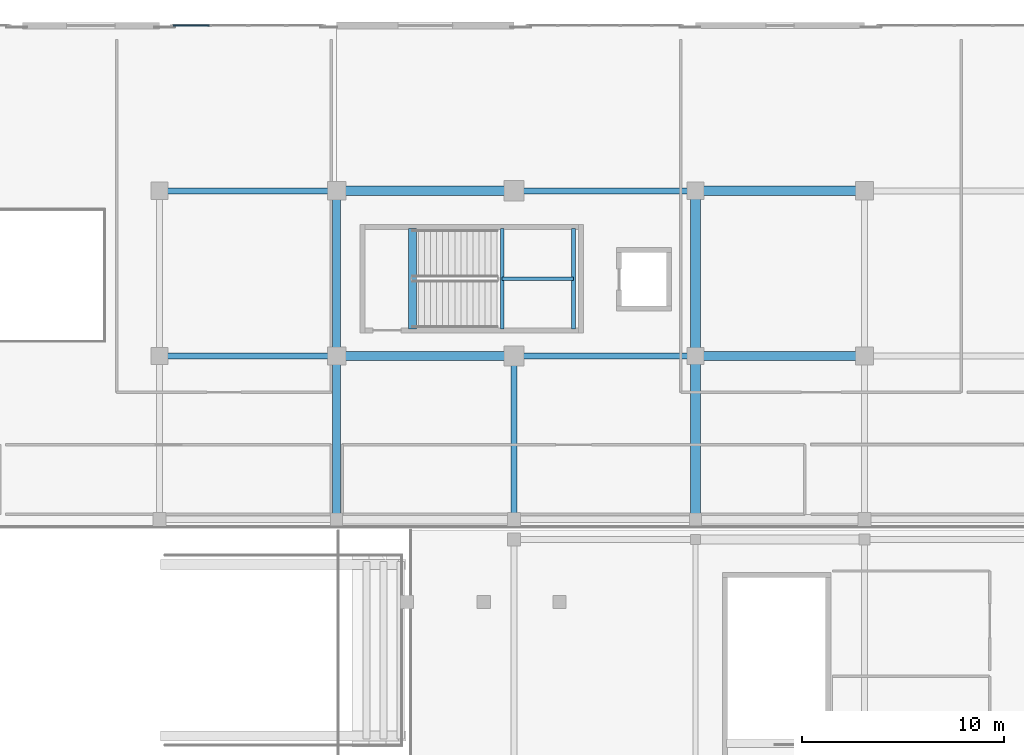
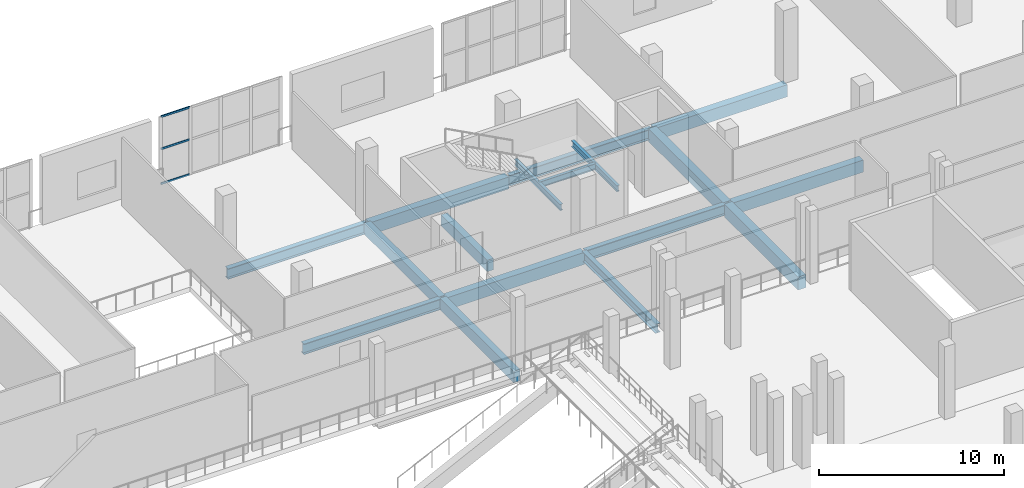
# One storey, part 54 of 129: 17 beams, 3 members, 1 element without a shape of its own.
"""IFC4 building model written with IfcOpenShell, lengths in metres."""

from ifc_helpers import new_model, si_unit, direction, frame, origin, origin_2d, place, context, subcontext, project, spatial, rectangle, i_section, extrude, material, material_profile, profile_set, type_object, element, aggregate, save


model = new_model("IFC4")

# Units and contexts
model_context = context("Model", 3, precision=1e-05, world=origin(), true_north=direction((0.0, 1.0)))
body_context = subcontext(model_context, "Body", "Model", "MODEL_VIEW")
ifc_project = project(units=[si_unit("LENGTHUNIT", "METRE"), si_unit("AREAUNIT", "SQUARE_METRE"), si_unit("VOLUMEUNIT", "CUBIC_METRE"), si_unit("PLANEANGLEUNIT", "RADIAN"), si_unit("MASSUNIT", "GRAM", prefix="KILO")], contexts=[model_context])

# Site, building, storey
site_placement = place(None, origin())
site = spatial("IfcSite", under=ifc_project, at=site_placement, CompositionType="ELEMENT")
building_placement = place(site_placement, origin())
building = spatial("IfcBuilding", under=site, at=building_placement, Name="Koshinbarg Plaza Stadium", CompositionType="ELEMENT")
storey_placement = place(building_placement, frame((0.0, 0.0, 5.39990234375)))
storey = spatial("IfcBuildingStorey", under=building, at=storey_placement, Name="L01", CompositionType="ELEMENT", Elevation=5.39990234375)

# Beams
ifc_material_1 = material(Name="Concrete C40/50", Category="concrete")
ifc_material_profile_1 = material_profile(ifc_material_1, rectangle(XDim=0.39990234375, YDim=0.75, at=origin_2d()), Name="RC 400x750")
ifc_profile_set_1 = profile_set([ifc_material_profile_1], Name="Concrete C40/50")
beam_type_1 = type_object("IfcBeamType", Name="BM-RCG-03", PredefinedType="USERDEFINED", material=ifc_profile_set_1)
beam_1_placement = place(storey_placement, frame((171.60009765625, 127.56005859375, -0.69482421875), z_axis=(0.0, 1.0, 0.0), x_axis=(-1.0, 0.0, 0.0)))
element("IfcBeam", 1, at=beam_1_placement, inside=storey, type_object=beam_type_1, Name="L01 Y girder 16/S-T", ObjectType="GIRDER", PredefinedType="USERDEFINED", context=body_context, shape_type="SweptSolid", body=[
    extrude(rectangle(XDim=0.39990234375, YDim=0.75, at=origin_2d()), origin(), (0.0, 0.0, 1.0), 7.97998046875),
])
beam_2_placement = place(storey_placement, frame((171.60009765625, 135.659912109375, -0.69482421875), z_axis=(0.0, 1.0, 0.0), x_axis=(-1.0, 0.0, 0.0)))
element("IfcBeam", 2, at=beam_2_placement, inside=storey, type_object=beam_type_1, Name="L01 Y girder 16/T-U", ObjectType="GIRDER", PredefinedType="USERDEFINED", context=body_context, shape_type="SweptSolid", body=[
    extrude(rectangle(XDim=0.39990234375, YDim=0.75, at=origin_2d()), origin(), (0.0, 0.0, 1.0), 8.080078125),
])
beam_3_placement = place(storey_placement, frame((175.360107421875, 136.949951171875, -0.375), z_axis=(0.0, 1.0, 0.0), x_axis=(-1.0, 0.0, 0.0)))
element("IfcBeam", 3, at=beam_3_placement, inside=storey, type_object=beam_type_1, Name="L01 stair landing header beam C12", ObjectType="GIRDER", PredefinedType="USERDEFINED", context=body_context, shape_type="SweptSolid", body=[
    extrude(rectangle(XDim=0.39990234375, YDim=0.75, at=origin_2d()), origin(), (0.0, 0.0, 1.0), 4.969970703125),
])
ifc_material_profile_2 = material_profile(ifc_material_1, rectangle(XDim=0.449951171875, YDim=0.800048828125, at=origin_2d()), Name="RC 450x800")
ifc_profile_set_2 = profile_set([ifc_material_profile_2], Name="Concrete C40/50")
beam_type_2 = type_object("IfcBeamType", Name="BM-RCG-04", PredefinedType="USERDEFINED", material=ifc_profile_set_2)
beam_4_placement = place(storey_placement, frame((171.659912109375, 135.60009765625, -0.719970703125), z_axis=(1.0, 0.0, 0.0), x_axis=(0.0, 1.0, 0.0)))
element("IfcBeam", 4, at=beam_4_placement, inside=storey, type_object=beam_type_2, Name="L01 X girder T/16-17", ObjectType="GIRDER", PredefinedType="USERDEFINED", context=body_context, shape_type="SweptSolid", body=[
    extrude(rectangle(XDim=0.449951171875, YDim=0.800048828125, at=origin_2d()), origin(), (0.0, 0.0, 1.0), 8.68017578125),
])
beam_5_placement = place(storey_placement, frame((189.4599609375, 135.60009765625, -0.719970703125), z_axis=(1.0, 0.0, 0.0), x_axis=(0.0, 1.0, 0.0)))
element("IfcBeam", 5, at=beam_5_placement, inside=storey, type_object=beam_type_2, Name="L01 X girder T/18-19", ObjectType="GIRDER", PredefinedType="USERDEFINED", context=body_context, shape_type="SweptSolid", body=[
    extrude(rectangle(XDim=0.449951171875, YDim=0.800048828125, at=origin_2d()), origin(), (0.0, 0.0, 1.0), 8.280029296875),
])
beam_6_placement = place(storey_placement, frame((171.659912109375, 143.800048828125, -0.719970703125), z_axis=(1.0, 0.0, 0.0), x_axis=(0.0, 1.0, 0.0)))
element("IfcBeam", 6, at=beam_6_placement, inside=storey, type_object=beam_type_2, Name="L01 X girder U/16-17", ObjectType="GIRDER", PredefinedType="USERDEFINED", context=body_context, shape_type="SweptSolid", body=[
    extrude(rectangle(XDim=0.449951171875, YDim=0.800048828125, at=origin_2d()), origin(), (0.0, 0.0, 1.0), 8.68017578125),
])
beam_7_placement = place(storey_placement, frame((189.4599609375, 143.800048828125, -0.719970703125), z_axis=(1.0, 0.0, 0.0), x_axis=(0.0, 1.0, 0.0)))
element("IfcBeam", 7, at=beam_7_placement, inside=storey, type_object=beam_type_2, Name="L01 X girder U/18-19", ObjectType="GIRDER", PredefinedType="USERDEFINED", context=body_context, shape_type="SweptSolid", body=[
    extrude(rectangle(XDim=0.449951171875, YDim=0.800048828125, at=origin_2d()), origin(), (0.0, 0.0, 1.0), 8.280029296875),
])
ifc_material_profile_3 = material_profile(ifc_material_1, rectangle(XDim=0.5, YDim=0.85009765625, at=origin_2d()), Name="RC 500x850")
ifc_profile_set_3 = profile_set([ifc_material_profile_3], Name="Concrete C40/50")
beam_type_3 = type_object("IfcBeamType", Name="BM-RCG-05", PredefinedType="USERDEFINED", material=ifc_profile_set_3)
beam_8_placement = place(storey_placement, frame((189.39990234375, 127.56005859375, -0.744873046875), z_axis=(0.0, 1.0, 0.0), x_axis=(-1.0, 0.0, 0.0)))
element("IfcBeam", 8, at=beam_8_placement, inside=storey, type_object=beam_type_3, Name="L01 Y girder 18/S-T", ObjectType="GIRDER", PredefinedType="USERDEFINED", context=body_context, shape_type="SweptSolid", body=[
    extrude(rectangle(XDim=0.5, YDim=0.85009765625, at=origin_2d()), origin(), (0.0, 0.0, 1.0), 7.97998046875),
])
beam_9_placement = place(storey_placement, frame((189.39990234375, 135.659912109375, -0.744873046875), z_axis=(0.0, 1.0, 0.0), x_axis=(-1.0, 0.0, 0.0)))
element("IfcBeam", 9, at=beam_9_placement, inside=storey, type_object=beam_type_3, Name="L01 Y girder 18/T-U", ObjectType="GIRDER", PredefinedType="USERDEFINED", context=body_context, shape_type="SweptSolid", body=[
    extrude(rectangle(XDim=0.5, YDim=0.85009765625, at=origin_2d()), origin(), (0.0, 0.0, 1.0), 8.080078125),
])
ifc_material_2 = material(Name="Steel S355", Category="steel")
ifc_material_profile_4 = material_profile(ifc_material_2, i_section(OverallWidth=0.179931640625, OverallDepth=0.39990234375, WebThickness=0.008544921875, FlangeThickness=0.013427734375, at=origin_2d()), Name="IPE 400")
ifc_profile_set_4 = profile_set([ifc_material_profile_4], Name="Steel S355")
beam_type_4 = type_object("IfcBeamType", Name="BM-SBM-01", PredefinedType="BEAM", material=ifc_profile_set_4)
for number, where, z_axis, x_axis, name in (
    (10, (179.81005859375, 136.949951171875, 1.880126953125), (0.0, 1.0, 0.0), (-1.0, 0.0, 0.0), "L01 Protected Exit Stair C12 landing trimmer beam 1"),
    (11, (183.35009765625, 136.949951171875, 1.880126953125), (0.0, 1.0, 0.0), (-1.0, 0.0, 0.0), "L01 Protected Exit Stair C12 landing trimmer beam 2"),
):
    element("IfcBeam", number, at=place(storey_placement, frame(where, z_axis=z_axis, x_axis=x_axis)), inside=storey, type_object=beam_type_4, Name=name, PredefinedType="BEAM", context=body_context, shape_type="SweptSolid", body=[
        extrude(i_section(OverallWidth=0.179931640625, OverallDepth=0.39990234375, WebThickness=0.008544921875, FlangeThickness=0.013427734375, at=origin_2d()), origin(), (0.0, 0.0, 1.0), 4.969970703125),
    ])
beam_10_placement = place(storey_placement, frame((179.81005859375, 139.43505859375, 1.880126953125), z_axis=(1.0, 0.0, 0.0), x_axis=(0.0, 1.0, 0.0)))
element("IfcBeam", 12, at=beam_10_placement, inside=storey, type_object=beam_type_4, Name="L01 Protected Exit Stair C12 landing trimmer beam 3", PredefinedType="BEAM", context=body_context, shape_type="SweptSolid", body=[
    extrude(i_section(OverallWidth=0.179931640625, OverallDepth=0.39990234375, WebThickness=0.008544921875, FlangeThickness=0.013427734375, at=origin_2d()), origin(), (0.0, 0.0, 1.0), 3.5400390625),
])
ifc_material_profile_5 = material_profile(ifc_material_2, i_section(OverallWidth=0.300048828125, OverallDepth=0.60009765625, WebThickness=0.015380859375, FlangeThickness=0.030029296875, at=origin_2d()), Name="HEB 600")
ifc_profile_set_5 = profile_set([ifc_material_profile_5], Name="Steel S355")
beam_type_5 = type_object("IfcBeamType", Name="BM-SGIR-02", PredefinedType="USERDEFINED", material=ifc_profile_set_5)
beam_11_placement = place(storey_placement, frame((180.39990234375, 127.56005859375, -0.619873046875), z_axis=(0.0, 1.0, 0.0), x_axis=(-1.0, 0.0, 0.0)))
element("IfcBeam", 13, at=beam_11_placement, inside=storey, type_object=beam_type_5, Name="L01 Y girder 17/S-T", ObjectType="GIRDER", PredefinedType="USERDEFINED", context=body_context, shape_type="SweptSolid", body=[
    extrude(i_section(OverallWidth=0.300048828125, OverallDepth=0.60009765625, WebThickness=0.015380859375, FlangeThickness=0.030029296875, at=origin_2d()), origin(), (0.0, 0.0, 1.0), 7.97998046875),
])
ifc_material_profile_6 = material_profile(ifc_material_2, i_section(OverallWidth=0.300048828125, OverallDepth=0.699951171875, WebThickness=0.01708984375, FlangeThickness=0.031982421875, at=origin_2d()), Name="HEB 700")
ifc_profile_set_6 = profile_set([ifc_material_profile_6], Name="Steel S355")
beam_type_6 = type_object("IfcBeamType", Name="BM-SGIR-03", PredefinedType="USERDEFINED", material=ifc_profile_set_6)
beam_12_placement = place(storey_placement, frame((162.860107421875, 135.60009765625, -0.669921875), z_axis=(1.0, 0.0, 0.0), x_axis=(0.0, 1.0, 0.0)))
element("IfcBeam", 14, at=beam_12_placement, inside=storey, type_object=beam_type_6, Name="L01 X girder T/15-16", ObjectType="GIRDER", PredefinedType="USERDEFINED", context=body_context, shape_type="SweptSolid", body=[
    extrude(i_section(OverallWidth=0.300048828125, OverallDepth=0.699951171875, WebThickness=0.01708984375, FlangeThickness=0.031982421875, at=origin_2d()), origin(), (0.0, 0.0, 1.0), 8.679931640625),
])
beam_13_placement = place(storey_placement, frame((180.4599609375, 135.60009765625, -0.669921875), z_axis=(1.0, 0.0, 0.0), x_axis=(0.0, 1.0, 0.0)))
element("IfcBeam", 15, at=beam_13_placement, inside=storey, type_object=beam_type_6, Name="L01 X girder T/17-18", ObjectType="GIRDER", PredefinedType="USERDEFINED", context=body_context, shape_type="SweptSolid", body=[
    extrude(i_section(OverallWidth=0.300048828125, OverallDepth=0.699951171875, WebThickness=0.01708984375, FlangeThickness=0.031982421875, at=origin_2d()), origin(), (0.0, 0.0, 1.0), 8.880126953125),
])
beam_14_placement = place(storey_placement, frame((162.860107421875, 143.800048828125, -0.669921875), z_axis=(1.0, 0.0, 0.0), x_axis=(0.0, 1.0, 0.0)))
element("IfcBeam", 16, at=beam_14_placement, inside=storey, type_object=beam_type_6, Name="L01 X girder U/15-16", ObjectType="GIRDER", PredefinedType="USERDEFINED", context=body_context, shape_type="SweptSolid", body=[
    extrude(i_section(OverallWidth=0.300048828125, OverallDepth=0.699951171875, WebThickness=0.01708984375, FlangeThickness=0.031982421875, at=origin_2d()), origin(), (0.0, 0.0, 1.0), 8.679931640625),
])
beam_15_placement = place(storey_placement, frame((180.4599609375, 143.800048828125, -0.669921875), z_axis=(1.0, 0.0, 0.0), x_axis=(0.0, 1.0, 0.0)))
element("IfcBeam", 17, at=beam_15_placement, inside=storey, type_object=beam_type_6, Name="L01 X girder U/17-18", ObjectType="GIRDER", PredefinedType="USERDEFINED", context=body_context, shape_type="SweptSolid", body=[
    extrude(i_section(OverallWidth=0.300048828125, OverallDepth=0.699951171875, WebThickness=0.01708984375, FlangeThickness=0.031982421875, at=origin_2d()), origin(), (0.0, 0.0, 1.0), 8.880126953125),
])

# Curtain wall, members
ifc_material_3 = material(Name="Thermally broken anodised aluminium and low-E double glazing", Category="aluminium")
curtain_wall_type = type_object("IfcCurtainWallType", Name="CW-SYS-16", PredefinedType="NOTDEFINED", material=ifc_material_3)
curtain_wall_placement = place(storey_placement, origin())
curtain_wall = element("IfcCurtainWall", 18, at=curtain_wall_placement, inside=storey, type_object=curtain_wall_type, Name="L01 unitised curtain wall CW-L01-015", PredefinedType="NOTDEFINED")
ifc_material_4 = material(Name="Anodised aluminium transom", Category="aluminium")
ifc_material_profile_7 = material_profile(ifc_material_4, rectangle(XDim=0.06005859375, YDim=0.1298828125, at=origin_2d()), Name="ALU 60x130")
ifc_profile_set_7 = profile_set([ifc_material_profile_7], Name="Anodised aluminium transom")
member_type = type_object("IfcMemberType", Name="CW-TRN-02", PredefinedType="USERDEFINED", material=ifc_profile_set_7)
member_1_placement = place(storey_placement, frame((163.47998046875, 152.0, 0.030029296875), z_axis=(1.0, 0.0, 0.0), x_axis=(0.0, 1.0, 0.0)))
member_1 = element("IfcMember", 19, at=member_1_placement, type_object=member_type, Name="CW16 transom 1.1", ObjectType="TRANSOM", PredefinedType="USERDEFINED", context=body_context, shape_type="SweptSolid", body=[
    extrude(rectangle(XDim=0.06005859375, YDim=0.1298828125, at=origin_2d()), origin(), (0.0, 0.0, 1.0), 1.800048828125),
])
member_2_placement = place(storey_placement, frame((163.47998046875, 152.0, 2.32958984375), z_axis=(1.0, 0.0, 0.0), x_axis=(0.0, 1.0, 0.0)))
member_2 = element("IfcMember", 20, at=member_2_placement, type_object=member_type, Name="CW16 transom 1.2", ObjectType="TRANSOM", PredefinedType="USERDEFINED", context=body_context, shape_type="SweptSolid", body=[
    extrude(rectangle(XDim=0.06005859375, YDim=0.1298828125, at=origin_2d()), origin(), (0.0, 0.0, 1.0), 1.800048828125),
])
member_3_placement = place(storey_placement, frame((163.47998046875, 152.0, 4.4501953125), z_axis=(1.0, 0.0, 0.0), x_axis=(0.0, 1.0, 0.0)))
member_3 = element("IfcMember", 21, at=member_3_placement, type_object=member_type, Name="CW16 transom 1.3", ObjectType="TRANSOM", PredefinedType="USERDEFINED", context=body_context, shape_type="SweptSolid", body=[
    extrude(rectangle(XDim=0.06005859375, YDim=0.1298828125, at=origin_2d()), origin(), (0.0, 0.0, 1.0), 1.800048828125),
])
aggregate(curtain_wall, [member_1, member_2, member_3])

save(model, "model.ifc")
